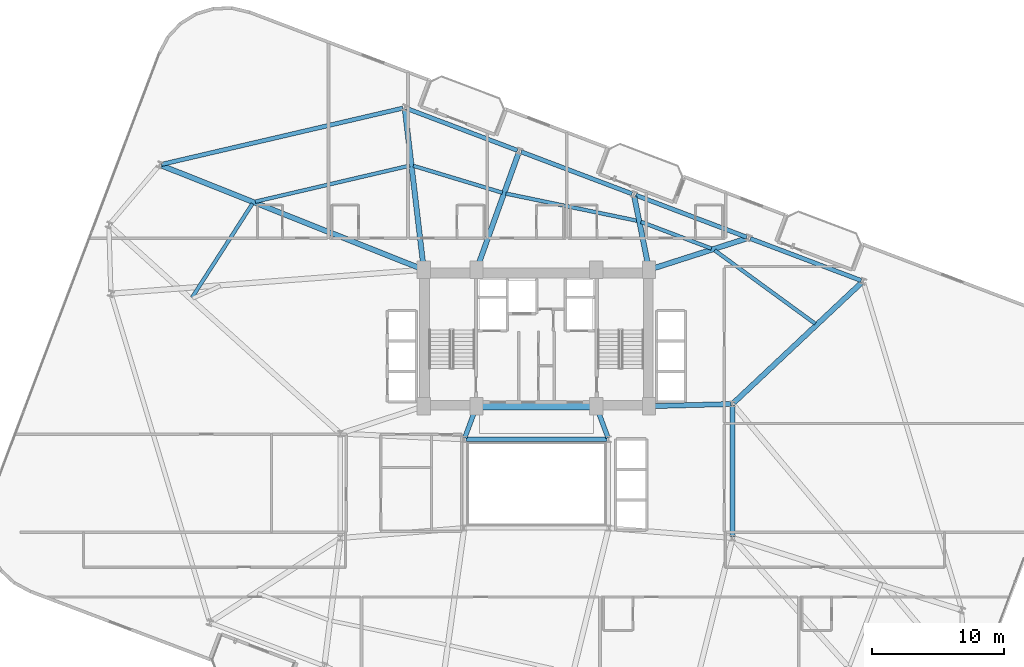
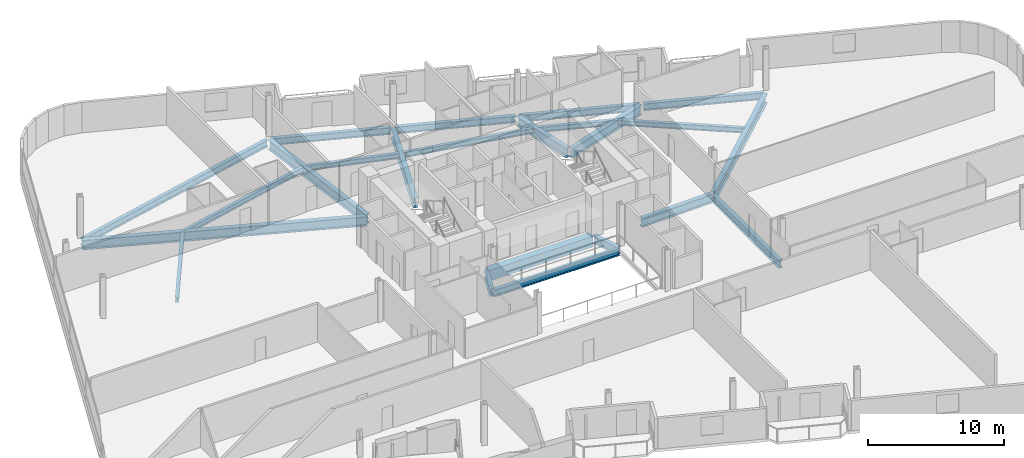
# One storey, part 9 of 24: 23 beams.
"""IFC4 building model written with IfcOpenShell, lengths in metres."""

from ifc_helpers import new_model, si_unit, direction, frame, origin, origin_2d, place, context, subcontext, project, spatial, rectangle, i_section, extrude, material, material_profile, profile_set, type_object, element, save


model = new_model("IFC4")

# Units and contexts
model_context = context("Model", 3, precision=1e-05, world=origin(), true_north=direction((0.0, 1.0)))
body_context = subcontext(model_context, "Body", "Model", "MODEL_VIEW")
ifc_project = project(units=[si_unit("LENGTHUNIT", "METRE"), si_unit("AREAUNIT", "SQUARE_METRE"), si_unit("VOLUMEUNIT", "CUBIC_METRE"), si_unit("PLANEANGLEUNIT", "RADIAN"), si_unit("MASSUNIT", "GRAM", prefix="KILO")], contexts=[model_context])

# Site, building, storey
site_placement = place(None, origin())
site = spatial("IfcSite", under=ifc_project, at=site_placement, CompositionType="ELEMENT")
building_placement = place(site_placement, origin())
building = spatial("IfcBuilding", under=site, at=building_placement, Name="Varnelok Gate Tower", CompositionType="ELEMENT")
storey_placement = place(building_placement, frame((0.0, 0.0, 87.300048828125)))
storey = spatial("IfcBuildingStorey", under=building, at=storey_placement, Name="L21", CompositionType="ELEMENT", Elevation=87.300048828125)

# Beams
ifc_material_1 = material(Name="Structural Steel ASTM A992 Grade 50", Category="steel")
ifc_material_profile_1 = material_profile(ifc_material_1, i_section(OverallWidth=0.280029296875, OverallDepth=0.462890625, WebThickness=0.0107421875, FlangeThickness=0.017333984375, FilletRadius=0.014892578125, at=origin_2d()), Name="W18X76")
ifc_profile_set_1 = profile_set([ifc_material_profile_1], Name="Structural Steel ASTM A992 Grade 50")
beam_type_1 = type_object("IfcBeamType", Name="BM-JST-W18X76", PredefinedType="JOIST", material=ifc_profile_set_1)
beam_1_placement = place(storey_placement, frame((60.24609375, 34.977783203125, -0.4814453125), z_axis=(-0.807571934506, 0.589769082437, 0.0), x_axis=(-0.589769082437, -0.807571934506, 0.0)))
element("IfcBeam", 1, at=beam_1_placement, inside=storey, type_object=beam_type_1, Name="L21 Sector Floor Joist 7", PredefinedType="JOIST", context=body_context, shape_type="SweptSolid", body=[
    extrude(i_section(OverallWidth=0.280029296875, OverallDepth=0.462890625, WebThickness=0.0107421875, FlangeThickness=0.017333984375, FilletRadius=0.014892578125, at=origin_2d()), origin(), (0.0, 0.0, 1.0), 9.39892578125),
])
beam_2_placement = place(storey_placement, frame((52.411865234375, 40.6533203125, -0.4814453125), z_axis=(-0.935227094529, 0.35404841711, 0.0), x_axis=(-0.35404841711, -0.935227094529, 0.0)))
element("IfcBeam", 2, at=beam_2_placement, inside=storey, type_object=beam_type_1, Name="L21 Sector Floor Joist 8", PredefinedType="JOIST", context=body_context, shape_type="SweptSolid", body=[
    extrude(i_section(OverallWidth=0.280029296875, OverallDepth=0.462890625, WebThickness=0.0107421875, FlangeThickness=0.017333984375, FilletRadius=0.014892578125, at=origin_2d()), origin(), (0.0, 0.0, 1.0), 5.686279296875),
])
beam_3_placement = place(storey_placement, frame((46.825927734375, 42.744384765625, -0.4814453125), z_axis=(-0.979223334547, 0.2027847654, 0.0), x_axis=(-0.2027847654, -0.979223334547, 0.0)))
element("IfcBeam", 3, at=beam_3_placement, inside=storey, type_object=beam_type_1, Name="L21 Sector Floor Joist 9", PredefinedType="JOIST", context=body_context, shape_type="SweptSolid", body=[
    extrude(i_section(OverallWidth=0.280029296875, OverallDepth=0.462890625, WebThickness=0.0107421875, FlangeThickness=0.017333984375, FilletRadius=0.014892578125, at=origin_2d()), origin(), (0.0, 0.0, 1.0), 10.138427734375),
])
beam_4_placement = place(storey_placement, frame((36.627197265625, 44.868896484375, -0.4814453125), z_axis=(-0.95727163238, 0.289190286561, 0.0), x_axis=(-0.289190286561, -0.95727163238, 0.0)))
element("IfcBeam", 4, at=beam_4_placement, inside=storey, type_object=beam_type_1, Name="L21 Sector Floor Joist 10", PredefinedType="JOIST", context=body_context, shape_type="SweptSolid", body=[
    extrude(i_section(OverallWidth=0.280029296875, OverallDepth=0.462890625, WebThickness=0.0107421875, FlangeThickness=0.017333984375, FilletRadius=0.014892578125, at=origin_2d()), origin(), (0.0, 0.0, 1.0), 7.024658203125),
])
beam_5_placement = place(storey_placement, frame((29.632080078125, 46.9091796875, -0.4814453125), z_axis=(-0.97387671054, -0.227077415581, 0.0), x_axis=(0.227077415581, -0.97387671054, 0.0)))
element("IfcBeam", 5, at=beam_5_placement, inside=storey, type_object=beam_type_1, Name="L21 Sector Floor Joist 11", PredefinedType="JOIST", context=body_context, shape_type="SweptSolid", body=[
    extrude(i_section(OverallWidth=0.280029296875, OverallDepth=0.462890625, WebThickness=0.0107421875, FlangeThickness=0.017333984375, FilletRadius=0.014892578125, at=origin_2d()), origin(), (0.0, 0.0, 1.0), 11.967529296875),
])
beam_6_placement = place(storey_placement, frame((17.76513671875, 44.042236328125, -0.4814453125), z_axis=(-0.541225979602, -0.840877184257, 0.0), x_axis=(0.840877184257, -0.541225979602, 0.0)))
element("IfcBeam", 6, at=beam_6_placement, inside=storey, type_object=beam_type_1, Name="L21 Sector Floor Joist 12", PredefinedType="JOIST", context=body_context, shape_type="SweptSolid", body=[
    extrude(i_section(OverallWidth=0.280029296875, OverallDepth=0.462890625, WebThickness=0.0107421875, FlangeThickness=0.017333984375, FilletRadius=0.014892578125, at=origin_2d()), origin(), (0.0, 0.0, 1.0), 8.428466796875),
])
ifc_material_2 = material(Name="Concrete C60/75", Category="concrete")
ifc_material_profile_2 = material_profile(ifc_material_2, rectangle(XDim=0.60009765625, YDim=0.949951171875, at=origin_2d()), Name="RC950X600")
ifc_profile_set_2 = profile_set([ifc_material_profile_2], Name="Concrete C60/75")
beam_type_2 = type_object("IfcBeamType", Name="BM-LNT-RC950", PredefinedType="LINTEL", material=ifc_profile_set_2)
beam_7_placement = place(storey_placement, frame((34.800048828125, 28.75, -0.72509765625), z_axis=(1.0, 0.0, 0.0), x_axis=(0.0, 1.0, 0.0)))
element("IfcBeam", 7, at=beam_7_placement, inside=storey, type_object=beam_type_2, Name="L21 Core-Atrium Spine Beam 7", PredefinedType="LINTEL", context=body_context, shape_type="SweptSolid", body=[
    extrude(rectangle(XDim=0.60009765625, YDim=0.949951171875, at=origin_2d()), origin(), (0.0, 0.0, 1.0), 8.800048828125),
])
ifc_material_profile_3 = material_profile(ifc_material_1, i_section(OverallWidth=0.35498046875, OverallDepth=0.696044921875, WebThickness=0.015380859375, FlangeThickness=0.02490234375, FilletRadius=0.02001953125, at=origin_2d()), Name="W27X146")
ifc_profile_set_3 = profile_set([ifc_material_profile_3], Name="Structural Steel ASTM A992 Grade 50")
beam_type_3 = type_object("IfcBeamType", Name="BM-PRI-W27X146", PredefinedType="BEAM", material=ifc_profile_set_3)
for number, where, z_axis, x_axis, name in (
    (8, (33.791748046875, 26.362548828125, -0.59814453125), (0.348719329408, 0.937227202602, 0.0), (-0.937227202602, 0.348719329408, 0.0), "L21 Core-Atrium Spine Beam 12"),
    (9, (44.608154296875, 26.362548828125, -0.59814453125), (-0.348719329408, 0.937227202602, 0.0), (-0.937227202602, -0.348719329408, 0.0), "L21 Core-Atrium Spine Beam 13"),
):
    element("IfcBeam", number, at=place(storey_placement, frame(where, z_axis=z_axis, x_axis=x_axis)), inside=storey, type_object=beam_type_3, Name=name, PredefinedType="BEAM", context=body_context, shape_type="SweptSolid", body=[
        extrude(i_section(OverallWidth=0.35498046875, OverallDepth=0.696044921875, WebThickness=0.015380859375, FlangeThickness=0.02490234375, FilletRadius=0.02001953125, at=origin_2d()), origin(), (0.0, 0.0, 1.0), 2.42724609375),
    ])
beam_8_placement = place(storey_placement, frame((54.0, 18.919921875, -0.59814453125), z_axis=(0.0, 1.0, 0.0), x_axis=(-1.0, 0.0, 0.0)))
element("IfcBeam", 10, at=beam_8_placement, inside=storey, type_object=beam_type_3, Name="L21 Core-Atrium Spine Beam 20", PredefinedType="BEAM", context=body_context, shape_type="SweptSolid", body=[
    extrude(i_section(OverallWidth=0.35498046875, OverallDepth=0.696044921875, WebThickness=0.015380859375, FlangeThickness=0.02490234375, FilletRadius=0.02001953125, at=origin_2d()), origin(), (0.0, 0.0, 1.0), 9.880126953125),
])
ifc_material_profile_4 = material_profile(ifc_material_1, i_section(OverallWidth=0.381103515625, OverallDepth=0.77294921875, WebThickness=0.0166015625, FlangeThickness=0.027099609375, FilletRadius=0.02197265625, at=origin_2d()), Name="W30X173")
ifc_profile_set_4 = profile_set([ifc_material_profile_4], Name="Structural Steel ASTM A992 Grade 50")
beam_type_4 = type_object("IfcBeamType", Name="BM-PRI-W30X173", PredefinedType="BEAM", material=ifc_profile_set_4)
beam_9_placement = place(storey_placement, frame((47.820068359375, 28.753173828125, -0.636474609375), z_axis=(0.999635880609, 0.026983443053, 0.0), x_axis=(-0.026983443053, 0.999635880609, 0.0)))
element("IfcBeam", 11, at=beam_9_placement, inside=storey, type_object=beam_type_4, Name="L21 Core-Atrium Spine Beam 19", PredefinedType="BEAM", context=body_context, shape_type="SweptSolid", body=[
    extrude(i_section(OverallWidth=0.381103515625, OverallDepth=0.77294921875, WebThickness=0.0166015625, FlangeThickness=0.027099609375, FilletRadius=0.02197265625, at=origin_2d()), origin(), (0.0, 0.0, 1.0), 6.06201171875),
])
ifc_material_profile_5 = material_profile(ifc_material_1, i_section(OverallWidth=0.39892578125, OverallDepth=0.85498046875, WebThickness=0.018310546875, FlangeThickness=0.029296875, FilletRadius=0.02392578125, at=origin_2d()), Name="W33X201")
ifc_profile_set_5 = profile_set([ifc_material_profile_5], Name="Structural Steel ASTM A992 Grade 50")
beam_type_5 = type_object("IfcBeamType", Name="BM-PRI-W33X201", PredefinedType="BEAM", material=ifc_profile_set_5)
beam_10_placement = place(storey_placement, frame((54.109375, 29.022705078125, -0.677490234375), z_axis=(0.728763782129, 0.684765178624, 0.0), x_axis=(-0.684765178624, 0.728763782129, 0.0)))
element("IfcBeam", 12, at=beam_10_placement, inside=storey, type_object=beam_type_5, Name="L21 Radial Floor Girder 9", PredefinedType="BEAM", context=body_context, shape_type="SweptSolid", body=[
    extrude(i_section(OverallWidth=0.39892578125, OverallDepth=0.85498046875, WebThickness=0.018310546875, FlangeThickness=0.029296875, FilletRadius=0.02392578125, at=origin_2d()), origin(), (0.0, 0.0, 1.0), 13.228515625),
])
beam_11_placement = place(storey_placement, frame((47.8427734375, 39.095703125, -0.677490234375), z_axis=(0.952189173648, 0.305509046656, 0.0), x_axis=(-0.305509046656, 0.952189173648, 0.0)))
element("IfcBeam", 13, at=beam_11_placement, inside=storey, type_object=beam_type_5, Name="L21 Radial Floor Girder 10", PredefinedType="BEAM", context=body_context, shape_type="SweptSolid", body=[
    extrude(i_section(OverallWidth=0.39892578125, OverallDepth=0.85498046875, WebThickness=0.018310546875, FlangeThickness=0.029296875, FilletRadius=0.02392578125, at=origin_2d()), origin(), (0.0, 0.0, 1.0), 7.585205078125),
])
beam_12_placement = place(storey_placement, frame((47.67041015625, 39.197021484375, -0.677490234375), z_axis=(-0.19708105208, 0.980387198463, 0.0), x_axis=(-0.980387198463, -0.19708105208, 0.0)))
element("IfcBeam", 14, at=beam_12_placement, inside=storey, type_object=beam_type_5, Name="L21 Radial Floor Girder 11", PredefinedType="BEAM", context=body_context, shape_type="SweptSolid", body=[
    extrude(i_section(OverallWidth=0.39892578125, OverallDepth=0.85498046875, WebThickness=0.018310546875, FlangeThickness=0.029296875, FilletRadius=0.02392578125, at=origin_2d()), origin(), (0.0, 0.0, 1.0), 5.497802734375),
])
beam_13_placement = place(storey_placement, frame((34.730712890625, 39.191162109375, -0.677490234375), z_axis=(0.338850703631, 0.940840156801, 0.0), x_axis=(-0.940840156801, 0.338850703631, 0.0)))
element("IfcBeam", 15, at=beam_13_placement, inside=storey, type_object=beam_type_5, Name="L21 Radial Floor Girder 12", PredefinedType="BEAM", context=body_context, shape_type="SweptSolid", body=[
    extrude(i_section(OverallWidth=0.39892578125, OverallDepth=0.85498046875, WebThickness=0.018310546875, FlangeThickness=0.029296875, FilletRadius=0.02392578125, at=origin_2d()), origin(), (0.0, 0.0, 1.0), 9.222412109375),
])
beam_14_placement = place(storey_placement, frame((30.682373046875, 39.198974609375, -0.677490234375), z_axis=(-0.117226632165, 0.993105189147, 0.0), x_axis=(-0.993105189147, -0.117226632165, 0.0)))
element("IfcBeam", 16, at=beam_14_placement, inside=storey, type_object=beam_type_5, Name="L21 Radial Floor Girder 13", PredefinedType="BEAM", context=body_context, shape_type="SweptSolid", body=[
    extrude(i_section(OverallWidth=0.39892578125, OverallDepth=0.85498046875, WebThickness=0.018310546875, FlangeThickness=0.029296875, FilletRadius=0.02392578125, at=origin_2d()), origin(), (0.0, 0.0, 1.0), 12.018798828125),
])
beam_15_placement = place(storey_placement, frame((30.560546875, 39.10546875, -0.677490234375), z_axis=(-0.929316441243, 0.369284378271, 0.0), x_axis=(-0.369284378271, -0.929316441243, 0.0)))
element("IfcBeam", 17, at=beam_15_placement, inside=storey, type_object=beam_type_5, Name="L21 Radial Floor Girder 14", PredefinedType="BEAM", context=body_context, shape_type="SweptSolid", body=[
    extrude(i_section(OverallWidth=0.39892578125, OverallDepth=0.85498046875, WebThickness=0.018310546875, FlangeThickness=0.029296875, FilletRadius=0.02392578125, at=origin_2d()), origin(), (0.0, 0.0, 1.0), 21.153076171875),
])
ifc_material_profile_6 = material_profile(ifc_material_1, i_section(OverallWidth=0.323974609375, OverallDepth=0.611083984375, WebThickness=0.0126953125, FlangeThickness=0.01904296875, FilletRadius=0.01806640625, at=origin_2d()), Name="W24X104")
ifc_profile_set_6 = profile_set([ifc_material_profile_6], Name="Structural Steel ASTM A992 Grade 50")
beam_type_6 = type_object("IfcBeamType", Name="BM-SPN-W24X104", PredefinedType="SPANDREL", material=ifc_profile_set_6)
beam_16_placement = place(storey_placement, frame((33.8701171875, 26.25, -0.5556640625), z_axis=(1.0, 0.0, 0.0), x_axis=(0.0, 1.0, 0.0)))
element("IfcBeam", 18, at=beam_16_placement, inside=storey, type_object=beam_type_6, Name="L21 Core-Atrium Spine Beam 9", PredefinedType="SPANDREL", context=body_context, shape_type="SweptSolid", body=[
    extrude(i_section(OverallWidth=0.323974609375, OverallDepth=0.611083984375, WebThickness=0.0126953125, FlangeThickness=0.01904296875, FilletRadius=0.01806640625, at=origin_2d()), origin(), (0.0, 0.0, 1.0), 10.659912109375),
])
beam_17_placement = place(storey_placement, frame((63.71875, 38.23681640625, -0.5556640625), z_axis=(-0.935220356141, 0.354066216208, 0.0), x_axis=(-0.354066216208, -0.935220356141, 0.0)))
element("IfcBeam", 19, at=beam_17_placement, inside=storey, type_object=beam_type_6, Name="L21 Perimeter Spandrel Beam 9", PredefinedType="SPANDREL", context=body_context, shape_type="SweptSolid", body=[
    extrude(i_section(OverallWidth=0.323974609375, OverallDepth=0.611083984375, WebThickness=0.0126953125, FlangeThickness=0.01904296875, FilletRadius=0.01806640625, at=origin_2d()), origin(), (0.0, 0.0, 1.0), 8.9501953125),
])
for number, where, z_axis, x_axis, name in (
    (20, (55.06787109375, 41.511962890625, -0.5556640625), (-0.935216936382, 0.354075248928, 0.0), (-0.354075248928, -0.935216936382, 0.0), "L21 Perimeter Spandrel Beam 10"),
    (21, (46.4169921875, 44.787109375, -0.5556640625), (-0.935225969099, 0.354051389947, 0.0), (-0.354051389947, -0.935225969099, 0.0), "L21 Perimeter Spandrel Beam 11"),
):
    element("IfcBeam", number, at=place(storey_placement, frame(where, z_axis=z_axis, x_axis=x_axis)), inside=storey, type_object=beam_type_6, Name=name, PredefinedType="SPANDREL", context=body_context, shape_type="SweptSolid", body=[
        extrude(i_section(OverallWidth=0.323974609375, OverallDepth=0.611083984375, WebThickness=0.0126953125, FlangeThickness=0.01904296875, FilletRadius=0.01806640625, at=origin_2d()), origin(), (0.0, 0.0, 1.0), 8.949951171875),
    ])
beam_18_placement = place(storey_placement, frame((37.766357421875, 48.06201171875, -0.5556640625), z_axis=(-0.935220356141, 0.354066216208, 0.0), x_axis=(-0.354066216208, -0.935220356141, 0.0)))
element("IfcBeam", 22, at=beam_18_placement, inside=storey, type_object=beam_type_6, Name="L21 Perimeter Spandrel Beam 12", PredefinedType="SPANDREL", context=body_context, shape_type="SweptSolid", body=[
    extrude(i_section(OverallWidth=0.323974609375, OverallDepth=0.611083984375, WebThickness=0.0126953125, FlangeThickness=0.01904296875, FilletRadius=0.01806640625, at=origin_2d()), origin(), (0.0, 0.0, 1.0), 8.9501953125),
])
beam_19_placement = place(storey_placement, frame((29.109619140625, 51.25, -0.5556640625), z_axis=(-0.973877429001, -0.227074334266, 0.0), x_axis=(0.227074334266, -0.973877429001, 0.0)))
element("IfcBeam", 23, at=beam_19_placement, inside=storey, type_object=beam_type_6, Name="L21 Perimeter Spandrel Beam 13", PredefinedType="SPANDREL", context=body_context, shape_type="SweptSolid", body=[
    extrude(i_section(OverallWidth=0.323974609375, OverallDepth=0.611083984375, WebThickness=0.0126953125, FlangeThickness=0.01904296875, FilletRadius=0.01806640625, at=origin_2d()), origin(), (0.0, 0.0, 1.0), 18.6884765625),
])

save(model, "model.ifc")
